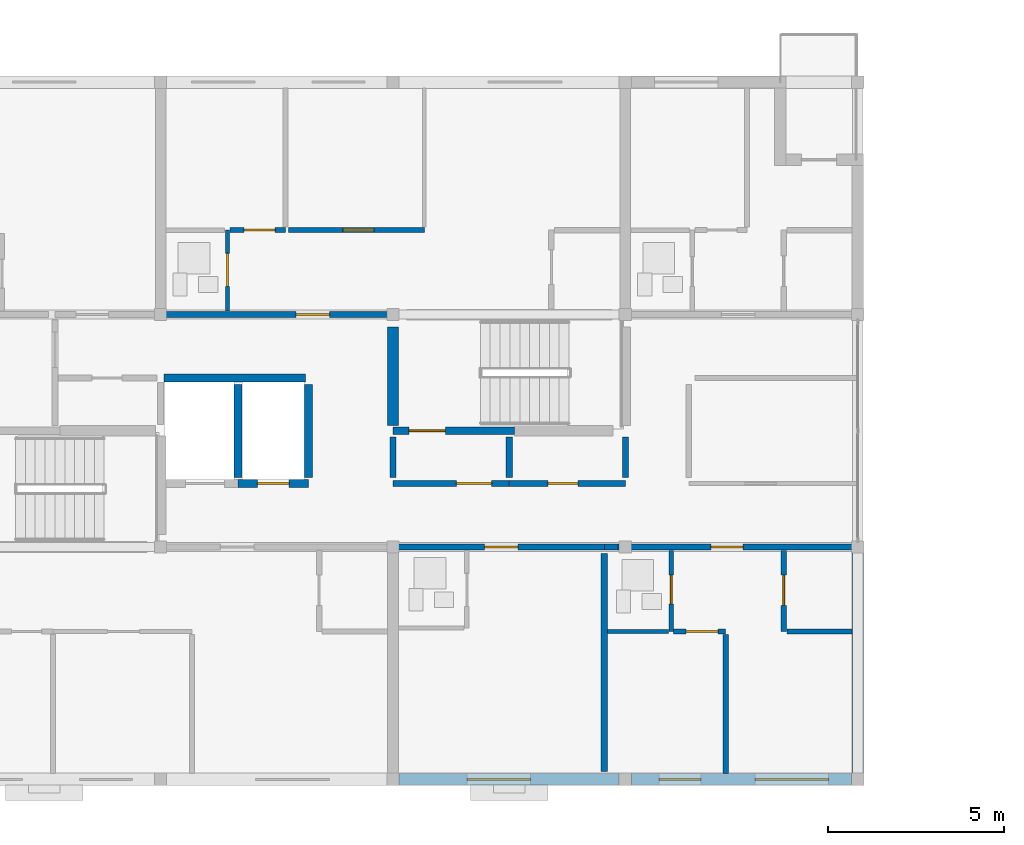
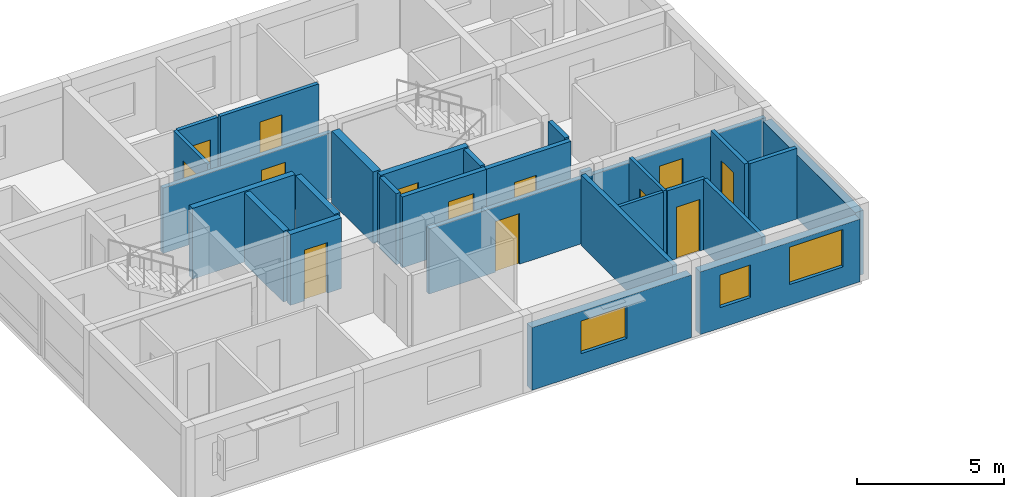
# One storey, part 28 of 53: 28 walls, 13 doors, 3 windows, 16 openings.
"""IFC4 building model written with IfcOpenShell, lengths in metres."""

from ifc_helpers import new_model, si_unit, direction, frame, frame_2d, origin, place, context, subcontext, project, spatial, rectangle, extrude, material, layer, layer_set, type_object, element, fill, save


model = new_model("IFC4")

# Units and contexts
model_context = context("Model", 3, precision=1e-05, world=origin(), true_north=direction((0.0, 1.0)))
body_context = subcontext(model_context, "Body", "Model", "MODEL_VIEW")
ifc_project = project(units=[si_unit("LENGTHUNIT", "METRE"), si_unit("AREAUNIT", "SQUARE_METRE"), si_unit("VOLUMEUNIT", "CUBIC_METRE"), si_unit("PLANEANGLEUNIT", "RADIAN"), si_unit("MASSUNIT", "GRAM", prefix="KILO")], contexts=[model_context])

# Site, building, storey
site_placement = place(None, origin())
site = spatial("IfcSite", under=ifc_project, at=site_placement, CompositionType="ELEMENT")
building_placement = place(site_placement, origin())
building = spatial("IfcBuilding", under=site, at=building_placement, Name="Kernevlak Ridge Housing Community", CompositionType="ELEMENT")
storey_placement = place(building_placement, frame((0.0, 0.0, 24.39990234375)))
storey = spatial("IfcBuildingStorey", under=building, at=storey_placement, Name="L07", CompositionType="ELEMENT", Elevation=24.39990234375)

# Wall, opening, window
ifc_material_1 = material(Name="Concrete block masonry M10", Category="masonry")
ifc_layer_1 = layer(ifc_material_1, 0.320068359375, Name="Concrete block masonry M10")
ifc_layer_set_1 = layer_set([ifc_layer_1], Name="Concrete block masonry M10")
wall_type_1 = type_object("IfcWallType", Name="EW-02", PredefinedType="STANDARD", material=ifc_layer_set_1)
wall_1_placement = place(storey_placement, frame((28.97509765625, 15.60009765625, 0.0), z_axis=(0.0, 0.0, 1.0), x_axis=(1.0, 0.0, 0.0)))
wall_1 = element("IfcWall", 1, at=wall_1_placement, inside=storey, type_object=wall_type_1, Name="Exterior wall EW-02 L07 811", PredefinedType="STANDARD", context=body_context, shape_type="SweptSolid", body=[
    extrude(rectangle(XDim=6.25, YDim=0.320068359375, at=frame_2d((3.125, 0.0))), origin(), (0.0, 0.0, 1.0), 2.60009765625),
])
opening_1_placement = place(wall_1_placement, frame((1.925048828125, 0.0, 0.85009765625)))
opening_1 = element("IfcOpeningElement", 2, at=opening_1_placement, cuts=wall_1, Name="Opening WT-03", PredefinedType="OPENING", context=body_context, shape_type="SweptSolid", body=[
    extrude(rectangle(XDim=1.800048828125, YDim=1.35009765625, at=frame_2d((0.89990234375, 0.675048828125))), frame((0.0, 0.169921875, 0.0), z_axis=(0.0, -1.0, 0.0), x_axis=(1.0, 0.0, 0.0)), (0.0, 0.0, 1.0), 0.340087890625),
])
ifc_material_2 = material(Name="Aluminium EN AW-6060 anodised and laminated glass", Category="aluminium")
window_type_1 = type_object("IfcWindowType", Name="WT-03", PartitioningType="SINGLE_PANEL", PredefinedType="WINDOW", material=ifc_material_2)
window_1_placement = place(opening_1_placement, origin())
window_1 = element("IfcWindow", 3, at=window_1_placement, inside=storey, type_object=window_type_1, Name="Window WT-03 L07 675", OverallHeight=1.35009765625, OverallWidth=1.800048828125, PartitioningType="SINGLE_PANEL", PredefinedType="WINDOW", context=body_context, shape_type="SweptSolid", body=[
    extrude(rectangle(XDim=1.800048828125, YDim=1.35009765625, at=frame_2d((0.89990234375, 0.675048828125))), frame((0.0, 0.030029296875, 0.0), z_axis=(0.0, -1.0, 0.0), x_axis=(1.0, 0.0, 0.0)), (0.0, 0.0, 1.0), 0.06005859375),
])
fill(opening_1, window_1)

# Wall, openings, windows
wall_2_placement = place(storey_placement, frame((35.574951171875, 15.60009765625, 0.0), z_axis=(0.0, 0.0, 1.0), x_axis=(1.0, 0.0, 0.0)))
wall_2 = element("IfcWall", 4, at=wall_2_placement, inside=storey, type_object=wall_type_1, Name="Exterior wall EW-02 L07 812", PredefinedType="STANDARD", context=body_context, shape_type="SweptSolid", body=[
    extrude(rectangle(XDim=6.25, YDim=0.320068359375, at=frame_2d((3.125, 0.0))), origin(), (0.0, 0.0, 1.0), 2.60009765625),
])
opening_2_placement = place(wall_2_placement, frame((0.77490234375, 0.0, 0.85009765625)))
opening_2 = element("IfcOpeningElement", 5, at=opening_2_placement, cuts=wall_2, Name="Opening WT-01", PredefinedType="OPENING", context=body_context, shape_type="SweptSolid", body=[
    extrude(rectangle(XDim=1.199951171875, YDim=1.35009765625, at=frame_2d((0.60009765625, 0.675048828125))), frame((0.0, 0.169921875, 0.0), z_axis=(0.0, -1.0, 0.0), x_axis=(1.0, 0.0, 0.0)), (0.0, 0.0, 1.0), 0.340087890625),
])
opening_3_placement = place(wall_2_placement, frame((3.5, 0.0, 0.85009765625)))
opening_3 = element("IfcOpeningElement", 6, at=opening_3_placement, cuts=wall_2, Name="Opening WT-05", PredefinedType="OPENING", context=body_context, shape_type="SweptSolid", body=[
    extrude(rectangle(XDim=2.10009765625, YDim=1.550048828125, at=frame_2d((1.050048828125, 0.77490234375))), frame((0.0, 0.169921875, 0.0), z_axis=(0.0, -1.0, 0.0), x_axis=(1.0, 0.0, 0.0)), (0.0, 0.0, 1.0), 0.340087890625),
])
window_type_2 = type_object("IfcWindowType", Name="WT-01", PartitioningType="SINGLE_PANEL", PredefinedType="WINDOW", material=ifc_material_2)
window_2_placement = place(opening_2_placement, origin())
window_2 = element("IfcWindow", 7, at=window_2_placement, inside=storey, type_object=window_type_2, Name="Window WT-01 L07 676", OverallHeight=1.35009765625, OverallWidth=1.199951171875, PartitioningType="SINGLE_PANEL", PredefinedType="WINDOW", context=body_context, shape_type="SweptSolid", body=[
    extrude(rectangle(XDim=1.199951171875, YDim=1.35009765625, at=frame_2d((0.60009765625, 0.675048828125))), frame((0.0, 0.030029296875, 0.0), z_axis=(0.0, -1.0, 0.0), x_axis=(1.0, 0.0, 0.0)), (0.0, 0.0, 1.0), 0.06005859375),
])
fill(opening_2, window_2)
window_type_3 = type_object("IfcWindowType", Name="WT-05", PartitioningType="SINGLE_PANEL", PredefinedType="WINDOW", material=ifc_material_2)
window_3_placement = place(opening_3_placement, origin())
window_3 = element("IfcWindow", 8, at=window_3_placement, inside=storey, type_object=window_type_3, Name="Window WT-05 L07 677", OverallHeight=1.550048828125, OverallWidth=2.10009765625, PartitioningType="SINGLE_PANEL", PredefinedType="WINDOW", context=body_context, shape_type="SweptSolid", body=[
    extrude(rectangle(XDim=2.10009765625, YDim=1.550048828125, at=frame_2d((1.050048828125, 0.77490234375))), frame((0.0, 0.030029296875, 0.0), z_axis=(0.0, -1.0, 0.0), x_axis=(1.0, 0.0, 0.0)), (0.0, 0.0, 1.0), 0.06005859375),
])
fill(opening_3, window_3)

# Wall
wall_3_placement = place(storey_placement, frame((42.0, 15.77490234375, 0.0), z_axis=(0.0, 0.0, 1.0), x_axis=(0.0, 1.0, 0.0)))
element("IfcWall", 9, at=wall_3_placement, inside=storey, type_object=wall_type_1, Name="Exterior wall EW-02 L07 821", PredefinedType="STANDARD", context=body_context, shape_type="SweptSolid", body=[
    extrude(rectangle(XDim=6.25, YDim=0.320068359375, at=frame_2d((3.125, 0.0))), origin(), (0.0, 0.0, 1.0), 2.650146484375),
])

# Wall, opening, door
ifc_material_3 = material(Name="Concrete C35/45", Category="concrete")
ifc_layer_2 = layer(ifc_material_3, 0.22509765625, Name="Concrete C35/45")
ifc_layer_set_2 = layer_set([ifc_layer_2], Name="Concrete C35/45")
wall_type_2 = type_object("IfcWallType", Name="PW-01", PredefinedType="STANDARD", material=ifc_layer_set_2)
wall_4_placement = place(storey_placement, frame((24.39990234375, 24.0, 0.0), z_axis=(0.0, 0.0, 1.0), x_axis=(1.0, 0.0, 0.0)))
wall_4 = element("IfcWall", 10, at=wall_4_placement, inside=storey, type_object=wall_type_2, Name="Interior wall PW-01 WAL-INT-L07-3365", PredefinedType="STANDARD", context=body_context, shape_type="SweptSolid", body=[
    extrude(rectangle(XDim=2.0, YDim=0.22509765625, at=frame_2d((1.0, 0.0))), origin(), (0.0, 0.0, 1.0), 2.93505859375),
])
opening_4_placement = place(wall_4_placement, frame((0.550048828125, 0.0, 0.0)))
opening_4 = element("IfcOpeningElement", 11, at=opening_4_placement, cuts=wall_4, Name="Opening LD93", PredefinedType="OPENING", context=body_context, shape_type="SweptSolid", body=[
    extrude(rectangle(XDim=0.89990234375, YDim=2.10009765625, at=frame_2d((0.449951171875, 1.050048828125))), frame((0.0, 0.12255859375, 0.0), z_axis=(0.0, -1.0, 0.0), x_axis=(1.0, 0.0, 0.0)), (0.0, 0.0, 1.0), 0.2451171875),
])
ifc_material_4 = material(Name="Stainless steel EN 1.4401", Category="steel")
door_type_1 = type_object("IfcDoorType", Name="DT-LD2", OperationType="DOUBLE_DOOR_SLIDING", PredefinedType="DOOR", material=ifc_material_4)
door_1_placement = place(opening_4_placement, origin())
door_1 = element("IfcDoor", 12, at=door_1_placement, inside=storey, type_object=door_type_1, Name="Lift LF-D2 landing door LD93", OperationType="DOUBLE_DOOR_SLIDING", OverallHeight=2.10009765625, OverallWidth=0.89990234375, PredefinedType="DOOR", context=body_context, shape_type="SweptSolid", body=[
    extrude(rectangle(XDim=0.89990234375, YDim=2.10009765625, at=frame_2d((0.449951171875, 1.050048828125))), frame((0.0, 0.02490234375, 0.0), z_axis=(0.0, -1.0, 0.0), x_axis=(1.0, 0.0, 0.0)), (0.0, 0.0, 1.0), 0.050048828125),
])
fill(opening_4, door_1)

# Walls
wall_5_placement = place(storey_placement, frame((22.297607421875, 27.0, 0.0), z_axis=(0.0, 0.0, 1.0), x_axis=(1.0, 0.0, 0.0)))
element("IfcWall", 13, at=wall_5_placement, inside=storey, type_object=wall_type_2, Name="Interior wall PW-01 WAL-INT-L07-3366", PredefinedType="STANDARD", context=body_context, shape_type="SweptSolid", body=[
    extrude(rectangle(XDim=4.0224609375, YDim=0.22509765625, at=frame_2d((2.01123046875, 0.0))), origin(), (0.0, 0.0, 1.0), 2.93505859375),
])
for number, where, z_axis, x_axis, name in (
    (14, (24.39990234375, 24.179931640625, 0.0), (0.0, 0.0, 1.0), (0.0, 1.0, 0.0), "Interior wall PW-01 WAL-INT-L07-3368"),
    (15, (26.39990234375, 24.179931640625, 0.0), (0.0, 0.0, 1.0), (0.0, 1.0, 0.0), "Interior wall PW-01 WAL-INT-L07-3369"),
):
    element("IfcWall", number, at=place(storey_placement, frame(where, z_axis=z_axis, x_axis=x_axis)), inside=storey, type_object=wall_type_2, Name=name, PredefinedType="STANDARD", context=body_context, shape_type="SweptSolid", body=[
        extrude(rectangle(XDim=2.64013671875, YDim=0.22509765625, at=frame_2d((1.320068359375, 0.0))), origin(), (0.0, 0.0, 1.0), 2.93505859375),
    ])

# Wall, opening, door
wall_6_placement = place(storey_placement, frame((28.800048828125, 25.5, 0.0), z_axis=(0.0, 0.0, 1.0), x_axis=(1.0, 0.0, 0.0)))
wall_6 = element("IfcWall", 16, at=wall_6_placement, inside=storey, type_object=wall_type_2, Name="Interior wall PW-01 WAL-INT-L07-3370", PredefinedType="STANDARD", context=body_context, shape_type="SweptSolid", body=[
    extrude(rectangle(XDim=3.449951171875, YDim=0.22509765625, at=frame_2d((1.72509765625, 0.0))), origin(), (0.0, 0.0, 1.0), 2.93505859375),
])
opening_5_placement = place(wall_6_placement, frame((0.449951171875, 0.0, 0.0)))
opening_5 = element("IfcOpeningElement", 17, at=opening_5_placement, cuts=wall_6, Name="Opening E708", PredefinedType="OPENING", context=body_context, shape_type="SweptSolid", body=[
    extrude(rectangle(XDim=1.0400390625, YDim=2.1201171875, at=frame_2d((0.52001953125, 1.06005859375))), frame((0.0, 0.12255859375, 0.0), z_axis=(0.0, -1.0, 0.0), x_axis=(1.0, 0.0, 0.0)), (0.0, 0.0, 1.0), 0.2451171875),
])
ifc_material_5 = material(Name="Fire-rated sheet steel leaf", Category="steel")
door_type_2 = type_object("IfcDoorType", Name="DT-16", OperationType="NOTDEFINED", PredefinedType="DOOR", material=ifc_material_5)
door_2_placement = place(opening_5_placement, origin())
door_2 = element("IfcDoor", 18, at=door_2_placement, inside=storey, type_object=door_type_2, Name="Block D Stair 2 fire door E708", OperationType="SINGLE_SWING_LEFT", OverallHeight=2.1201171875, OverallWidth=1.0400390625, PredefinedType="DOOR", context=body_context, shape_type="SweptSolid", body=[
    extrude(rectangle(XDim=1.0400390625, YDim=2.1201171875, at=frame_2d((0.52001953125, 1.06005859375))), frame((0.0, 0.02490234375, 0.0), z_axis=(0.0, -1.0, 0.0), x_axis=(1.0, 0.0, 0.0)), (0.0, 0.0, 1.0), 0.050048828125),
])
fill(opening_5, door_2)

ifc_layer_3 = layer(ifc_material_1, 0.175048828125, Name="Concrete block masonry M10")
ifc_layer_set_3 = layer_set([ifc_layer_3], Name="Concrete block masonry M10")
wall_type_3 = type_object("IfcWallType", Name="PW-02", PredefinedType="PARTITIONING", material=ifc_layer_set_3)
wall_7_placement = place(storey_placement, frame((28.800048828125, 24.0, 0.0), z_axis=(0.0, 0.0, 1.0), x_axis=(1.0, 0.0, 0.0)))
wall_7 = element("IfcWall", 19, at=wall_7_placement, inside=storey, type_object=wall_type_3, Name="Interior wall PW-02 WAL-INT-L07-3371", PredefinedType="PARTITIONING", context=body_context, shape_type="SweptSolid", body=[
    extrude(rectangle(XDim=3.300048828125, YDim=0.175048828125, at=frame_2d((1.64990234375, 0.0))), origin(), (0.0, 0.0, 1.0), 2.93505859375),
])
opening_6_placement = place(wall_7_placement, frame((1.800048828125, 0.0, 0.0)))
opening_6 = element("IfcOpeningElement", 20, at=opening_6_placement, cuts=wall_7, Name="Opening E709", PredefinedType="OPENING", context=body_context, shape_type="SweptSolid", body=[
    extrude(rectangle(XDim=1.0, YDim=2.10009765625, at=frame_2d((0.5, 1.050048828125))), frame((0.0, 0.097412109375, 0.0), z_axis=(0.0, -1.0, 0.0), x_axis=(1.0, 0.0, 0.0)), (0.0, 0.0, 1.0), 0.195068359375),
])
door_type_3 = type_object("IfcDoorType", Name="DT-05", OperationType="NOTDEFINED", PredefinedType="DOOR", material=ifc_material_5)
door_3_placement = place(opening_6_placement, origin())
door_3 = element("IfcDoor", 21, at=door_3_placement, inside=storey, type_object=door_type_3, Name="Block D Firefighting lobby 2 door E709", OperationType="SINGLE_SWING_RIGHT", OverallHeight=2.10009765625, OverallWidth=1.0, PredefinedType="DOOR", context=body_context, shape_type="SweptSolid", body=[
    extrude(rectangle(XDim=1.0, YDim=2.10009765625, at=frame_2d((0.5, 1.050048828125))), frame((0.0, 0.02490234375, 0.0), z_axis=(0.0, -1.0, 0.0), x_axis=(1.0, 0.0, 0.0)), (0.0, 0.0, 1.0), 0.050048828125),
])
fill(opening_6, door_3)

wall_8_placement = place(storey_placement, frame((32.10009765625, 24.0, 0.0), z_axis=(0.0, 0.0, 1.0), x_axis=(1.0, 0.0, 0.0)))
wall_8 = element("IfcWall", 22, at=wall_8_placement, inside=storey, type_object=wall_type_3, Name="Interior wall PW-02 WAL-INT-L07-3372", PredefinedType="PARTITIONING", context=body_context, shape_type="SweptSolid", body=[
    extrude(rectangle(XDim=3.2998046875, YDim=0.175048828125, at=frame_2d((1.64990234375, 0.0))), origin(), (0.0, 0.0, 1.0), 2.93505859375),
])
opening_7_placement = place(wall_8_placement, frame((1.10009765625, 0.0, 0.0)))
opening_7 = element("IfcOpeningElement", 23, at=opening_7_placement, cuts=wall_8, Name="Opening E710", PredefinedType="OPENING", context=body_context, shape_type="SweptSolid", body=[
    extrude(rectangle(XDim=0.85009765625, YDim=2.0, at=frame_2d((0.425048828125, 1.0))), frame((0.0, 0.097412109375, 0.0), z_axis=(0.0, -1.0, 0.0), x_axis=(1.0, 0.0, 0.0)), (0.0, 0.0, 1.0), 0.195068359375),
])
door_type_4 = type_object("IfcDoorType", Name="DT-07", OperationType="NOTDEFINED", PredefinedType="DOOR", material=ifc_material_5)
door_4_placement = place(opening_7_placement, origin())
door_4 = element("IfcDoor", 24, at=door_4_placement, inside=storey, type_object=door_type_4, Name="Block D Cleaner store door E710", OperationType="SINGLE_SWING_LEFT", OverallHeight=2.0, OverallWidth=0.85009765625, PredefinedType="DOOR", context=body_context, shape_type="SweptSolid", body=[
    extrude(rectangle(XDim=0.85009765625, YDim=2.0, at=frame_2d((0.425048828125, 1.0))), frame((0.0, 0.02490234375, 0.0), z_axis=(0.0, -1.0, 0.0), x_axis=(1.0, 0.0, 0.0)), (0.0, 0.0, 1.0), 0.050048828125),
])
fill(opening_7, door_4)

# Walls
for number, where, z_axis, x_axis, name in (
    (25, (28.800048828125, 24.179931640625, 0.0), (0.0, 0.0, 1.0), (0.0, 1.0, 0.0), "Interior wall PW-02 WAL-INT-L07-3373"),
    (26, (32.10009765625, 24.179931640625, 0.0), (0.0, 0.0, 1.0), (0.0, 1.0, 0.0), "Interior wall PW-02 WAL-INT-L07-3374"),
    (27, (35.39990234375, 24.179931640625, 0.0), (0.0, 0.0, 1.0), (0.0, 1.0, 0.0), "Interior wall PW-02 WAL-INT-L07-3375"),
):
    element("IfcWall", number, at=place(storey_placement, frame(where, z_axis=z_axis, x_axis=x_axis)), inside=storey, type_object=wall_type_3, Name=name, PredefinedType="PARTITIONING", context=body_context, shape_type="SweptSolid", body=[
        extrude(rectangle(XDim=1.14013671875, YDim=0.175048828125, at=frame_2d((0.570068359375, 0.0))), origin(), (0.0, 0.0, 1.0), 2.93505859375),
    ])

# Wall, opening, door
wall_9_placement = place(storey_placement, frame((28.800048828125, 22.199951171875, 0.0), z_axis=(0.0, 0.0, 1.0), x_axis=(1.0, 0.0, 0.0)))
wall_9 = element("IfcWall", 28, at=wall_9_placement, inside=storey, type_object=wall_type_3, Name="Interior wall PW-02 WAL-INT-L07-3388", PredefinedType="PARTITIONING", context=body_context, shape_type="SweptSolid", body=[
    extrude(rectangle(XDim=6.0, YDim=0.175048828125, at=frame_2d((3.0, 0.0))), origin(), (0.0, 0.0, 1.0), 2.7001953125),
])
opening_8_placement = place(wall_9_placement, frame((2.60009765625, 0.0, 0.0)))
opening_8 = element("IfcOpeningElement", 29, at=opening_8_placement, cuts=wall_9, Name="Opening E717", PredefinedType="OPENING", context=body_context, shape_type="SweptSolid", body=[
    extrude(rectangle(XDim=0.949951171875, YDim=2.10009765625, at=frame_2d((0.47509765625, 1.050048828125))), frame((0.0, 0.097412109375, 0.0), z_axis=(0.0, -1.0, 0.0), x_axis=(1.0, 0.0, 0.0)), (0.0, 0.0, 1.0), 0.195068359375),
])
ifc_material_6 = material(Name="Hardwood timber solid-core fire leaf", Category="wood")
door_type_5 = type_object("IfcDoorType", Name="DT-01", OperationType="NOTDEFINED", PredefinedType="DOOR", material=ifc_material_6)
door_5_placement = place(opening_8_placement, origin())
door_5 = element("IfcDoor", 30, at=door_5_placement, inside=storey, type_object=door_type_5, Name="Flat D0712 entrance fire door E717", OperationType="SINGLE_SWING_RIGHT", OverallHeight=2.10009765625, OverallWidth=0.949951171875, PredefinedType="DOOR", context=body_context, shape_type="SweptSolid", body=[
    extrude(rectangle(XDim=0.949951171875, YDim=2.10009765625, at=frame_2d((0.47509765625, 1.050048828125))), frame((0.0, 0.02490234375, 0.0), z_axis=(0.0, -1.0, 0.0), x_axis=(1.0, 0.0, 0.0)), (0.0, 0.0, 1.0), 0.050048828125),
])
fill(opening_8, door_5)

# Walls
wall_10_placement = place(storey_placement, frame((34.800048828125, 22.02001953125, 0.0), z_axis=(0.0, 0.0, 1.0), x_axis=(0.0, -1.0, 0.0)))
element("IfcWall", 31, at=wall_10_placement, inside=storey, type_object=wall_type_3, Name="Interior wall PW-02 WAL-INT-L07-3391", PredefinedType="PARTITIONING", context=body_context, shape_type="SweptSolid", body=[
    extrude(rectangle(XDim=6.18994140625, YDim=0.175048828125, at=frame_2d((3.094970703125, 0.0))), origin(), (0.0, 0.0, 1.0), 2.93505859375),
])
wall_11_placement = place(storey_placement, frame((34.800048828125, 22.199951171875, 0.0), z_axis=(0.0, 0.0, 1.0), x_axis=(1.0, 0.0, 0.0)))
element("IfcWall", 32, at=wall_11_placement, inside=storey, type_object=wall_type_3, Name="Interior wall PW-02 WAL-INT-L07-3392", PredefinedType="PARTITIONING", context=body_context, shape_type="SweptSolid", body=[
    extrude(rectangle(XDim=0.39501953125, YDim=0.175048828125, at=frame_2d((0.197509765625, 0.0))), origin(), (0.0, 0.0, 1.0), 2.93505859375),
])

# Wall, opening, door
wall_12_placement = place(storey_placement, frame((35.195068359375, 22.199951171875, 0.0), z_axis=(0.0, 0.0, 1.0), x_axis=(1.0, 0.0, 0.0)))
wall_12 = element("IfcWall", 33, at=wall_12_placement, inside=storey, type_object=wall_type_3, Name="Interior wall PW-02 WAL-INT-L07-3392 part 2", PredefinedType="PARTITIONING", context=body_context, shape_type="SweptSolid", body=[
    extrude(rectangle(XDim=6.804931640625, YDim=0.175048828125, at=frame_2d((3.40234375, 0.0))), origin(), (0.0, 0.0, 1.0), 2.7001953125),
])
opening_9_placement = place(wall_12_placement, frame((2.6298828125, 0.0, 0.0)))
opening_9 = element("IfcOpeningElement", 34, at=opening_9_placement, cuts=wall_12, Name="Opening E719", PredefinedType="OPENING", context=body_context, shape_type="SweptSolid", body=[
    extrude(rectangle(XDim=0.919921875, YDim=2.139892578125, at=frame_2d((0.4599609375, 1.06982421875))), frame((0.0, 0.097412109375, 0.0), z_axis=(0.0, -1.0, 0.0), x_axis=(1.0, 0.0, 0.0)), (0.0, 0.0, 1.0), 0.195068359375),
])
door_type_6 = type_object("IfcDoorType", Name="DT-20", OperationType="NOTDEFINED", PredefinedType="DOOR", material=ifc_material_6)
door_6_placement = place(opening_9_placement, origin())
door_6 = element("IfcDoor", 35, at=door_6_placement, inside=storey, type_object=door_type_6, Name="Flat D0713 entrance fire door E719", OperationType="SINGLE_SWING_RIGHT", OverallHeight=2.139892578125, OverallWidth=0.919921875, PredefinedType="DOOR", context=body_context, shape_type="SweptSolid", body=[
    extrude(rectangle(XDim=0.919921875, YDim=2.139892578125, at=frame_2d((0.4599609375, 1.06982421875))), frame((0.0, 0.02490234375, 0.0), z_axis=(0.0, -1.0, 0.0), x_axis=(1.0, 0.0, 0.0)), (0.0, 0.0, 1.0), 0.050048828125),
])
fill(opening_9, door_6)

wall_13_placement = place(storey_placement, frame((22.199951171875, 28.800048828125, 0.0), z_axis=(0.0, 0.0, 1.0), x_axis=(1.0, 0.0, 0.0)))
wall_13 = element("IfcWall", 36, at=wall_13_placement, inside=storey, type_object=wall_type_3, Name="Interior wall PW-02 WAL-INT-L07-3403", PredefinedType="PARTITIONING", context=body_context, shape_type="SweptSolid", body=[
    extrude(rectangle(XDim=6.60009765625, YDim=0.175048828125, at=frame_2d((3.300048828125, 0.0))), origin(), (0.0, 0.0, 1.0), 2.7001953125),
])
opening_10_placement = place(wall_13_placement, frame((3.85009765625, 0.0, 0.0)))
opening_10 = element("IfcOpeningElement", 37, at=opening_10_placement, cuts=wall_13, Name="Opening E725", PredefinedType="OPENING", context=body_context, shape_type="SweptSolid", body=[
    extrude(rectangle(XDim=0.949951171875, YDim=2.10009765625, at=frame_2d((0.47509765625, 1.050048828125))), frame((0.0, 0.097412109375, 0.0), z_axis=(0.0, -1.0, 0.0), x_axis=(1.0, 0.0, 0.0)), (0.0, 0.0, 1.0), 0.195068359375),
])
door_7_placement = place(opening_10_placement, origin())
door_7 = element("IfcDoor", 38, at=door_7_placement, inside=storey, type_object=door_type_5, Name="Flat D0722 entrance fire door E725", OperationType="SINGLE_SWING_RIGHT", OverallHeight=2.10009765625, OverallWidth=0.949951171875, PredefinedType="DOOR", context=body_context, shape_type="SweptSolid", body=[
    extrude(rectangle(XDim=0.949951171875, YDim=2.10009765625, at=frame_2d((0.47509765625, 1.050048828125))), frame((0.0, 0.02490234375, 0.0), z_axis=(0.0, -1.0, 0.0), x_axis=(1.0, 0.0, 0.0)), (0.0, 0.0, 1.0), 0.050048828125),
])
fill(opening_10, door_7)

ifc_layer_4 = layer(ifc_material_1, 0.14501953125, Name="Concrete block masonry M10")
ifc_layer_set_4 = layer_set([ifc_layer_4], Name="Concrete block masonry M10")
wall_type_4 = type_object("IfcWallType", Name="PW-03", PredefinedType="PARTITIONING", material=ifc_layer_set_4)
wall_14_placement = place(storey_placement, frame((36.7724609375, 19.800048828125, 0.0), z_axis=(0.0, 0.0, 1.0), x_axis=(1.0, 0.0, 0.0)))
wall_14 = element("IfcWall", 39, at=wall_14_placement, inside=storey, type_object=wall_type_4, Name="Interior wall PW-03 WAL-INT-L07-3397", PredefinedType="PARTITIONING", context=body_context, shape_type="SweptSolid", body=[
    extrude(rectangle(XDim=1.4775390625, YDim=0.14501953125, at=frame_2d((0.73876953125, 0.0))), origin(), (0.0, 0.0, 1.0), 2.93505859375),
])
opening_11_placement = place(wall_14_placement, frame((0.35009765625, 0.0, 0.0)))
opening_11 = element("IfcOpeningElement", 40, at=opening_11_placement, cuts=wall_14, Name="Opening E722", PredefinedType="OPENING", context=body_context, shape_type="SweptSolid", body=[
    extrude(rectangle(XDim=0.909912109375, YDim=2.139892578125, at=frame_2d((0.455078125, 1.06982421875))), frame((0.0, 0.08251953125, 0.0), z_axis=(0.0, -1.0, 0.0), x_axis=(1.0, 0.0, 0.0)), (0.0, 0.0, 1.0), 0.1650390625),
])
ifc_material_7 = material(Name="Hardwood timber leaf", Category="wood")
door_type_7 = type_object("IfcDoorType", Name="DT-31", OperationType="NOTDEFINED", PredefinedType="DOOR", material=ifc_material_7)
door_8_placement = place(opening_11_placement, origin())
door_8 = element("IfcDoor", 41, at=door_8_placement, inside=storey, type_object=door_type_7, Name="Flat D0713 bedroom door E722", OperationType="SINGLE_SWING_LEFT", OverallHeight=2.139892578125, OverallWidth=0.909912109375, PredefinedType="DOOR", context=body_context, shape_type="SweptSolid", body=[
    extrude(rectangle(XDim=0.909912109375, YDim=2.139892578125, at=frame_2d((0.455078125, 1.06982421875))), frame((0.0, 0.02490234375, 0.0), z_axis=(0.0, -1.0, 0.0), x_axis=(1.0, 0.0, 0.0)), (0.0, 0.0, 1.0), 0.050048828125),
])
fill(opening_11, door_8)

# Wall
wall_15_placement = place(storey_placement, frame((38.25, 19.717529296875, 0.0), z_axis=(0.0, 0.0, 1.0), x_axis=(0.0, -1.0, 0.0)))
element("IfcWall", 42, at=wall_15_placement, inside=storey, type_object=wall_type_4, Name="Interior wall PW-03 WAL-INT-L07-3398", PredefinedType="PARTITIONING", context=body_context, shape_type="SweptSolid", body=[
    extrude(rectangle(XDim=3.947509765625, YDim=0.14501953125, at=frame_2d((1.9736328125, 0.0))), origin(), (0.0, 0.0, 1.0), 2.93505859375),
])

# Wall, opening, door
wall_16_placement = place(storey_placement, frame((24.172607421875, 31.199951171875, 0.0), z_axis=(0.0, 0.0, 1.0), x_axis=(1.0, 0.0, 0.0)))
wall_16 = element("IfcWall", 43, at=wall_16_placement, inside=storey, type_object=wall_type_4, Name="Interior wall PW-03 WAL-INT-L07-3408", PredefinedType="PARTITIONING", context=body_context, shape_type="SweptSolid", body=[
    extrude(rectangle(XDim=1.577392578125, YDim=0.14501953125, at=frame_2d((0.78857421875, 0.0))), origin(), (0.0, 0.0, 1.0), 2.93505859375),
])
opening_12_placement = place(wall_16_placement, frame((0.39990234375, 0.0, 0.0)))
opening_12 = element("IfcOpeningElement", 44, at=opening_12_placement, cuts=wall_16, Name="Opening E728", PredefinedType="OPENING", context=body_context, shape_type="SweptSolid", body=[
    extrude(rectangle(XDim=0.8798828125, YDim=2.10009765625, at=frame_2d((0.43994140625, 1.050048828125))), frame((0.0, 0.08251953125, 0.0), z_axis=(0.0, -1.0, 0.0), x_axis=(1.0, 0.0, 0.0)), (0.0, 0.0, 1.0), 0.1650390625),
])
door_type_8 = type_object("IfcDoorType", Name="DT-25", OperationType="NOTDEFINED", PredefinedType="DOOR", material=ifc_material_7)
door_9_placement = place(opening_12_placement, origin())
door_9 = element("IfcDoor", 45, at=door_9_placement, inside=storey, type_object=door_type_8, Name="Flat D0722 bedroom door E728", OperationType="SINGLE_SWING_LEFT", OverallHeight=2.10009765625, OverallWidth=0.8798828125, PredefinedType="DOOR", context=body_context, shape_type="SweptSolid", body=[
    extrude(rectangle(XDim=0.8798828125, YDim=2.10009765625, at=frame_2d((0.43994140625, 1.050048828125))), frame((0.0, 0.02490234375, 0.0), z_axis=(0.0, -1.0, 0.0), x_axis=(1.0, 0.0, 0.0)), (0.0, 0.0, 1.0), 0.050048828125),
])
fill(opening_12, door_9)

wall_17_placement = place(storey_placement, frame((25.83251953125, 31.199951171875, 0.0), z_axis=(0.0, 0.0, 1.0), x_axis=(1.0, 0.0, 0.0)))
wall_17 = element("IfcWall", 46, at=wall_17_placement, inside=storey, type_object=wall_type_4, Name="Interior wall PW-03 WAL-INT-L07-3410", PredefinedType="PARTITIONING", context=body_context, shape_type="SweptSolid", body=[
    extrude(rectangle(XDim=3.859375, YDim=0.14501953125, at=frame_2d((1.9296875, 0.0))), origin(), (0.0, 0.0, 1.0), 2.93505859375),
])
opening_13_placement = place(wall_17_placement, frame((1.5458984375, 0.0, 0.0)))
opening_13 = element("IfcOpeningElement", 47, at=opening_13_placement, cuts=wall_17, Name="Opening E729", PredefinedType="OPENING", context=body_context, shape_type="SweptSolid", body=[
    extrude(rectangle(XDim=0.8798828125, YDim=2.159912109375, at=frame_2d((0.43994140625, 1.080078125))), frame((0.0, 0.08251953125, 0.0), z_axis=(0.0, -1.0, 0.0), x_axis=(1.0, 0.0, 0.0)), (0.0, 0.0, 1.0), 0.1650390625),
])
door_type_9 = type_object("IfcDoorType", Name="DT-26", OperationType="NOTDEFINED", PredefinedType="DOOR", material=ifc_material_7)
door_10_placement = place(opening_13_placement, origin())
door_10 = element("IfcDoor", 48, at=door_10_placement, inside=storey, type_object=door_type_9, Name="Flat D0722 bedroom door E729", OperationType="SINGLE_SWING_RIGHT", OverallHeight=2.159912109375, OverallWidth=0.8798828125, PredefinedType="DOOR", context=body_context, shape_type="SweptSolid", body=[
    extrude(rectangle(XDim=0.8798828125, YDim=2.159912109375, at=frame_2d((0.43994140625, 1.080078125))), frame((0.0, 0.02490234375, 0.0), z_axis=(0.0, -1.0, 0.0), x_axis=(1.0, 0.0, 0.0)), (0.0, 0.0, 1.0), 0.050048828125),
])
fill(opening_13, door_10)

ifc_material_8 = material(Name="Gypsum plasterboard EN 520", Category="gypsum")
ifc_layer_5 = layer(ifc_material_8, 0.125, Name="Gypsum plasterboard EN 520")
ifc_layer_set_5 = layer_set([ifc_layer_5], Name="Gypsum plasterboard EN 520")
wall_type_5 = type_object("IfcWallType", Name="PW-04", PredefinedType="PARTITIONING", material=ifc_layer_set_5)
wall_18_placement = place(storey_placement, frame((36.699951171875, 22.1025390625, 0.0), z_axis=(0.0, 0.0, 1.0), x_axis=(0.0, -1.0, 0.0)))
wall_18 = element("IfcWall", 49, at=wall_18_placement, inside=storey, type_object=wall_type_5, Name="Interior wall PW-04 WAL-INT-L07-3393", PredefinedType="PARTITIONING", context=body_context, shape_type="SweptSolid", body=[
    extrude(rectangle(XDim=2.302490234375, YDim=0.125, at=frame_2d((1.1513671875, 0.0))), origin(), (0.0, 0.0, 1.0), 2.93505859375),
])
opening_14_placement = place(wall_18_placement, frame((0.699951171875, 0.0, 0.0)))
opening_14 = element("IfcOpeningElement", 50, at=opening_14_placement, cuts=wall_18, Name="Opening E720", PredefinedType="OPENING", context=body_context, shape_type="SweptSolid", body=[
    extrude(rectangle(XDim=0.820068359375, YDim=2.050048828125, at=frame_2d((0.41015625, 1.02490234375))), frame((0.0, 0.072509765625, 0.0), z_axis=(0.0, -1.0, 0.0), x_axis=(1.0, 0.0, 0.0)), (0.0, 0.0, 1.0), 0.14501953125),
])
ifc_material_9 = material(Name="Hardwood timber moisture-resistant leaf", Category="wood")
door_type_10 = type_object("IfcDoorType", Name="DT-30", OperationType="NOTDEFINED", PredefinedType="DOOR", material=ifc_material_9)
door_11_placement = place(opening_14_placement, origin())
door_11 = element("IfcDoor", 51, at=door_11_placement, inside=storey, type_object=door_type_10, Name="Flat D0713 bathroom door E720", OperationType="SINGLE_SWING_LEFT", OverallHeight=2.050048828125, OverallWidth=0.820068359375, PredefinedType="DOOR", context=body_context, shape_type="SweptSolid", body=[
    extrude(rectangle(XDim=0.820068359375, YDim=2.050048828125, at=frame_2d((0.41015625, 1.02490234375))), frame((0.0, 0.02490234375, 0.0), z_axis=(0.0, -1.0, 0.0), x_axis=(1.0, 0.0, 0.0)), (0.0, 0.0, 1.0), 0.050048828125),
])
fill(opening_14, door_11)

# Wall
wall_19_placement = place(storey_placement, frame((34.8974609375, 19.800048828125, 0.0), z_axis=(0.0, 0.0, 1.0), x_axis=(1.0, 0.0, 0.0)))
element("IfcWall", 52, at=wall_19_placement, inside=storey, type_object=wall_type_5, Name="Interior wall PW-04 WAL-INT-L07-3394", PredefinedType="PARTITIONING", context=body_context, shape_type="SweptSolid", body=[
    extrude(rectangle(XDim=1.72265625, YDim=0.125, at=frame_2d((0.861328125, 0.0))), origin(), (0.0, 0.0, 1.0), 2.93505859375),
])

# Wall, opening, door
wall_20_placement = place(storey_placement, frame((24.10009765625, 28.8974609375, 0.0), z_axis=(0.0, 0.0, 1.0), x_axis=(0.0, 1.0, 0.0)))
wall_20 = element("IfcWall", 53, at=wall_20_placement, inside=storey, type_object=wall_type_5, Name="Interior wall PW-04 WAL-INT-L07-3404", PredefinedType="PARTITIONING", context=body_context, shape_type="SweptSolid", body=[
    extrude(rectangle(XDim=2.302490234375, YDim=0.125, at=frame_2d((1.1513671875, 0.0))), origin(), (0.0, 0.0, 1.0), 2.93505859375),
])
opening_15_placement = place(wall_20_placement, frame((0.699951171875, 0.0, 0.0)))
opening_15 = element("IfcOpeningElement", 54, at=opening_15_placement, cuts=wall_20, Name="Opening E726", PredefinedType="OPENING", context=body_context, shape_type="SweptSolid", body=[
    extrude(rectangle(XDim=0.93994140625, YDim=2.080078125, at=frame_2d((0.469970703125, 1.0400390625))), frame((0.0, 0.072509765625, 0.0), z_axis=(0.0, -1.0, 0.0), x_axis=(1.0, 0.0, 0.0)), (0.0, 0.0, 1.0), 0.14501953125),
])
door_type_11 = type_object("IfcDoorType", Name="DT-23", OperationType="NOTDEFINED", PredefinedType="DOOR", material=ifc_material_9)
door_12_placement = place(opening_15_placement, origin())
door_12 = element("IfcDoor", 55, at=door_12_placement, inside=storey, type_object=door_type_11, Name="Flat D0722 bathroom door E726", OperationType="SINGLE_SWING_LEFT", OverallHeight=2.080078125, OverallWidth=0.93994140625, PredefinedType="DOOR", context=body_context, shape_type="SweptSolid", body=[
    extrude(rectangle(XDim=0.93994140625, YDim=2.080078125, at=frame_2d((0.469970703125, 1.0400390625))), frame((0.0, 0.02490234375, 0.0), z_axis=(0.0, -1.0, 0.0), x_axis=(1.0, 0.0, 0.0)), (0.0, 0.0, 1.0), 0.050048828125),
])
fill(opening_15, door_12)

ifc_layer_6 = layer(ifc_material_8, 0.155029296875, Name="Gypsum plasterboard EN 520")
ifc_layer_set_6 = layer_set([ifc_layer_6], Name="Gypsum plasterboard EN 520")
wall_type_6 = type_object("IfcWallType", Name="PW-05", PredefinedType="PARTITIONING", material=ifc_layer_set_6)
wall_21_placement = place(storey_placement, frame((39.89990234375, 22.1025390625, 0.0), z_axis=(0.0, 0.0, 1.0), x_axis=(0.0, -1.0, 0.0)))
wall_21 = element("IfcWall", 56, at=wall_21_placement, inside=storey, type_object=wall_type_6, Name="Interior wall PW-05 WAL-INT-L07-3395", PredefinedType="PARTITIONING", context=body_context, shape_type="SweptSolid", body=[
    extrude(rectangle(XDim=2.302490234375, YDim=0.155029296875, at=frame_2d((1.1513671875, 0.0))), origin(), (0.0, 0.0, 1.0), 2.93505859375),
])
opening_16_placement = place(wall_21_placement, frame((0.699951171875, 0.0, 0.0)))
opening_16 = element("IfcOpeningElement", 57, at=opening_16_placement, cuts=wall_21, Name="Opening E721", PredefinedType="OPENING", context=body_context, shape_type="SweptSolid", body=[
    extrude(rectangle(XDim=0.860107421875, YDim=2.1201171875, at=frame_2d((0.43017578125, 1.06005859375))), frame((0.0, 0.08740234375, 0.0), z_axis=(0.0, -1.0, 0.0), x_axis=(1.0, 0.0, 0.0)), (0.0, 0.0, 1.0), 0.175048828125),
])
door_type_12 = type_object("IfcDoorType", Name="DT-28", OperationType="NOTDEFINED", PredefinedType="DOOR", material=ifc_material_7)
door_13_placement = place(opening_16_placement, origin())
door_13 = element("IfcDoor", 58, at=door_13_placement, inside=storey, type_object=door_type_12, Name="Flat D0713 kitchen door E721", OperationType="SINGLE_SWING_RIGHT", OverallHeight=2.1201171875, OverallWidth=0.860107421875, PredefinedType="DOOR", context=body_context, shape_type="SweptSolid", body=[
    extrude(rectangle(XDim=0.860107421875, YDim=2.1201171875, at=frame_2d((0.43017578125, 1.06005859375))), frame((0.0, 0.02490234375, 0.0), z_axis=(0.0, -1.0, 0.0), x_axis=(1.0, 0.0, 0.0)), (0.0, 0.0, 1.0), 0.050048828125),
])
fill(opening_16, door_13)

# Walls
wall_22_placement = place(storey_placement, frame((39.987548828125, 19.800048828125, 0.0), z_axis=(0.0, 0.0, 1.0), x_axis=(1.0, 0.0, 0.0)))
element("IfcWall", 59, at=wall_22_placement, inside=storey, type_object=wall_type_6, Name="Interior wall PW-05 WAL-INT-L07-3396", PredefinedType="PARTITIONING", context=body_context, shape_type="SweptSolid", body=[
    extrude(rectangle(XDim=1.842529296875, YDim=0.155029296875, at=frame_2d((0.92138671875, 0.0))), origin(), (0.0, 0.0, 1.0), 2.93505859375),
])
ifc_material_10 = material(Name="Concrete C40/50", Category="concrete")
ifc_layer_7 = layer(ifc_material_10, 0.300048828125, Name="Concrete C40/50")
ifc_layer_set_7 = layer_set([ifc_layer_7], Name="Concrete C40/50")
wall_type_7 = type_object("IfcWallType", Name="SW-02", PredefinedType="SHEAR", material=ifc_layer_set_7)
wall_23_placement = place(storey_placement, frame((28.800048828125, 25.64990234375, 0.0), z_axis=(0.0, 0.0, 1.0), x_axis=(0.0, 1.0, 0.0)))
element("IfcWall", 60, at=wall_23_placement, inside=storey, type_object=wall_type_7, Name="Shear wall SW-02 Block D L07 582", PredefinedType="SHEAR", context=body_context, shape_type="SweptSolid", body=[
    extrude(rectangle(XDim=2.800048828125, YDim=0.300048828125, at=frame_2d((1.39990234375, 0.0))), origin(), (0.0, 0.0, 1.0), 2.97021484375),
])

save(model, "model.ifc")
